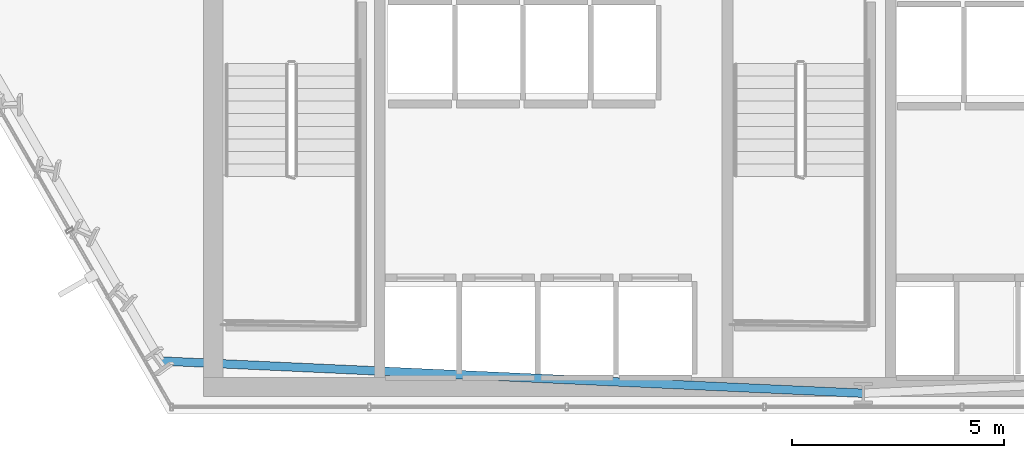
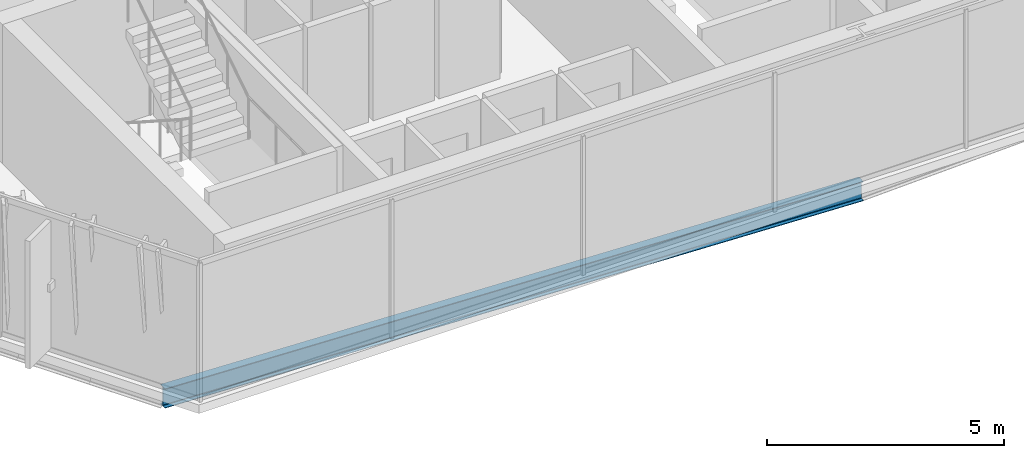
# One storey, part 4 of 33: 1 beam.
"""IFC4 building model written with IfcOpenShell, lengths in metres."""

from ifc_helpers import new_model, si_unit, direction, frame, origin, origin_2d, place, context, subcontext, project, spatial, i_section, extrude, material, material_profile, profile_set, type_object, element, save


model = new_model("IFC4")

# Units and contexts
model_context = context("Model", 3, precision=1e-05, world=origin(), true_north=direction((0.0, 1.0)))
body_context = subcontext(model_context, "Body", "Model", "MODEL_VIEW")
ifc_project = project(units=[si_unit("LENGTHUNIT", "METRE"), si_unit("AREAUNIT", "SQUARE_METRE"), si_unit("VOLUMEUNIT", "CUBIC_METRE"), si_unit("PLANEANGLEUNIT", "RADIAN"), si_unit("MASSUNIT", "GRAM", prefix="KILO")], contexts=[model_context])

# Site, building, storey
site_placement = place(None, origin())
site = spatial("IfcSite", under=ifc_project, at=site_placement, CompositionType="ELEMENT")
building_placement = place(site_placement, origin())
building = spatial("IfcBuilding", under=site, at=building_placement, Name="Ndaravel Arena Tower", CompositionType="ELEMENT")
storey_placement = place(building_placement, frame((0.0, 0.0, 89.199951171875)))
storey = spatial("IfcBuildingStorey", under=building, at=storey_placement, Name="L20", CompositionType="ELEMENT", Elevation=89.199951171875)

# Beam
ifc_material = material(Name="Steel S355", Category="steel")
ifc_material_profile = material_profile(ifc_material, i_section(OverallWidth=0.199951171875, OverallDepth=0.5, WebThickness=0.01025390625, FlangeThickness=0.01611328125, FilletRadius=0.02099609375, at=origin_2d()), Name="IPE 500")
ifc_profile_set = profile_set([ifc_material_profile], Name="Steel S355")
beam_type = type_object("IfcBeamType", Name="BM-SPAN-IPE500", PredefinedType="SPANDREL", material=ifc_profile_set)
beam_placement = place(storey_placement, frame((25.436767578125, 6.240478515625, -0.469970703125), z_axis=(0.998947577789, -0.045866510986, 0.0), x_axis=(0.045866510986, 0.998947577789, 0.0)))
element("IfcBeam", 1, at=beam_placement, inside=storey, type_object=beam_type, Name="L20 Perimeter Spandrel Beam SP-27", PredefinedType="SPANDREL", context=body_context, shape_type="SweptSolid", body=[
    extrude(i_section(OverallWidth=0.199951171875, OverallDepth=0.5, WebThickness=0.01025390625, FlangeThickness=0.01611328125, FilletRadius=0.02099609375, at=origin_2d()), origin(), (0.0, 0.0, 1.0), 16.58056640625),
])

save(model, "model.ifc")
